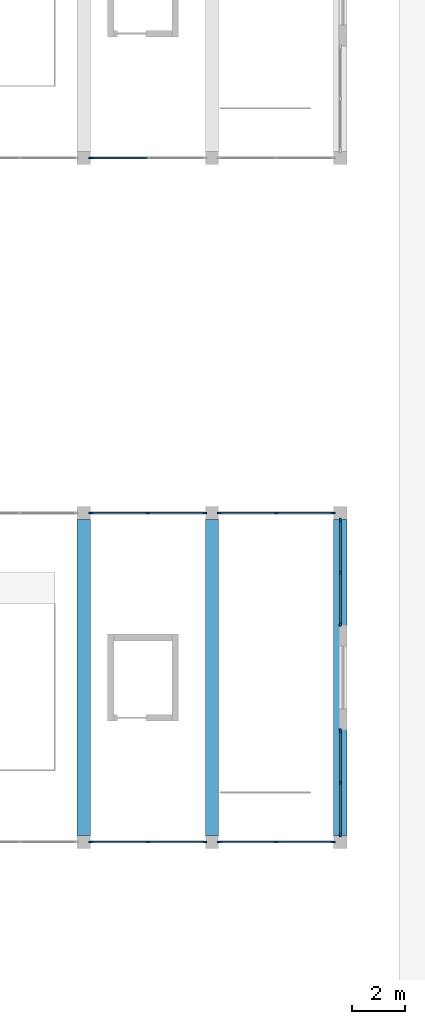
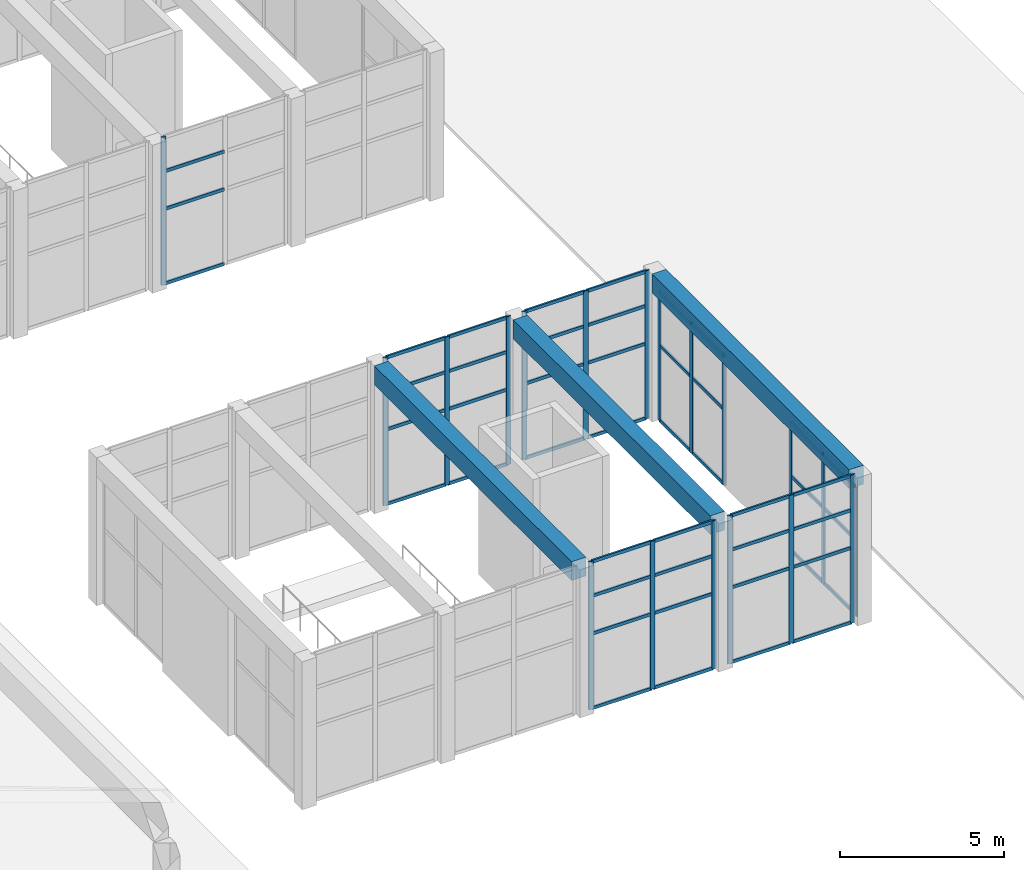
# One storey, part 11 of 175: 66 members, 3 beams, 7 elements without a shape of their own.
"""IFC4 building model written with IfcOpenShell, lengths in metres."""

from ifc_helpers import new_model, si_unit, direction, frame, origin, origin_2d, place, context, subcontext, project, spatial, rectangle, extrude, material, material_profile, profile_set, type_object, element, aggregate, save


model = new_model("IFC4")

# Units and contexts
model_context = context("Model", 3, precision=1e-05, world=origin(), true_north=direction((0.0, 1.0)))
body_context = subcontext(model_context, "Body", "Model", "MODEL_VIEW")
ifc_project = project(units=[si_unit("LENGTHUNIT", "METRE"), si_unit("AREAUNIT", "SQUARE_METRE"), si_unit("VOLUMEUNIT", "CUBIC_METRE"), si_unit("PLANEANGLEUNIT", "RADIAN"), si_unit("MASSUNIT", "GRAM", prefix="KILO")], contexts=[model_context])

# Site, building, storey
site_placement = place(None, origin())
site = spatial("IfcSite", under=ifc_project, at=site_placement, CompositionType="ELEMENT")
building_placement = place(site_placement, origin())
building = spatial("IfcBuilding", under=site, at=building_placement, Name="Ogive Plaza Stadium", CompositionType="ELEMENT")
storey_placement = place(building_placement, origin())
storey = spatial("IfcBuildingStorey", under=building, at=storey_placement, Name="L00", CompositionType="ELEMENT", Elevation=0.0)

# Curtain wall, members
ifc_material_1 = material(Name="Aluminium and laminated glass", Category="aluminium")
curtain_wall_type = type_object("IfcCurtainWallType", Name="Headhouse curtain wall", PredefinedType="NOTDEFINED", material=ifc_material_1)
curtain_wall_1_placement = place(storey_placement, origin())
curtain_wall_1 = element("IfcCurtainWall", 1, at=curtain_wall_1_placement, inside=storey, type_object=curtain_wall_type, Name="Headhouse 1 curtain wall", PredefinedType="NOTDEFINED")
ifc_material_2 = material(Name="Bronze-anodised aluminium", Category="aluminium")
ifc_material_profile_1 = material_profile(ifc_material_2, rectangle(XDim=0.06005859375, YDim=0.159912109375, at=origin_2d()), Name="Headhouse mullion 60x160")
ifc_profile_set_1 = profile_set([ifc_material_profile_1], Name="Bronze-anodised aluminium")
member_type_1 = type_object("IfcMemberType", Name="Headhouse mullion 60x160", PredefinedType="MULLION", material=ifc_profile_set_1)
member_1_placement = place(storey_placement, frame((108.280029296875, -19.25, 0.0), z_axis=(0.0, 0.0, 1.0), x_axis=(0.0, 1.0, 0.0)))
member_1 = element("IfcMember", 2, at=member_1_placement, type_object=member_type_1, Name="HCW1A mullion 1", PredefinedType="MULLION", context=body_context, shape_type="SweptSolid", body=[
    extrude(rectangle(XDim=0.06005859375, YDim=0.159912109375, at=origin_2d()), origin(), (0.0, 0.0, 1.0), 5.5),
])
member_2_placement = place(storey_placement, frame((110.4375, -19.25, 0.0), z_axis=(0.0, 0.0, 1.0), x_axis=(0.0, 1.0, 0.0)))
member_2 = element("IfcMember", 3, at=member_2_placement, type_object=member_type_1, Name="HCW1A mullion 2", PredefinedType="MULLION", context=body_context, shape_type="SweptSolid", body=[
    extrude(rectangle(XDim=0.06005859375, YDim=0.159912109375, at=origin_2d()), origin(), (0.0, 0.0, 1.0), 5.5),
])
member_3_placement = place(storey_placement, frame((112.594970703125, -19.25, 0.0), z_axis=(0.0, 0.0, 1.0), x_axis=(0.0, 1.0, 0.0)))
member_3 = element("IfcMember", 4, at=member_3_placement, type_object=member_type_1, Name="HCW1A mullion 3", PredefinedType="MULLION", context=body_context, shape_type="SweptSolid", body=[
    extrude(rectangle(XDim=0.06005859375, YDim=0.159912109375, at=origin_2d()), origin(), (0.0, 0.0, 1.0), 5.5),
])

curtain_wall_2_placement = place(storey_placement, origin())
curtain_wall_2 = element("IfcCurtainWall", 5, at=curtain_wall_2_placement, inside=storey, type_object=curtain_wall_type, Name="Headhouse 1 curtain wall", PredefinedType="NOTDEFINED")
member_4_placement = place(storey_placement, frame((113.155029296875, -19.25, 0.0), z_axis=(0.0, 0.0, 1.0), x_axis=(0.0, 1.0, 0.0)))
member_4 = element("IfcMember", 6, at=member_4_placement, type_object=member_type_1, Name="HCW1A mullion 1", PredefinedType="MULLION", context=body_context, shape_type="SweptSolid", body=[
    extrude(rectangle(XDim=0.06005859375, YDim=0.159912109375, at=origin_2d()), origin(), (0.0, 0.0, 1.0), 5.5),
])
member_5_placement = place(storey_placement, frame((115.3125, -19.25, 0.0), z_axis=(0.0, 0.0, 1.0), x_axis=(0.0, 1.0, 0.0)))
member_5 = element("IfcMember", 7, at=member_5_placement, type_object=member_type_1, Name="HCW1A mullion 2", PredefinedType="MULLION", context=body_context, shape_type="SweptSolid", body=[
    extrude(rectangle(XDim=0.06005859375, YDim=0.159912109375, at=origin_2d()), origin(), (0.0, 0.0, 1.0), 5.5),
])
member_6_placement = place(storey_placement, frame((117.469970703125, -19.25, 0.0), z_axis=(0.0, 0.0, 1.0), x_axis=(0.0, 1.0, 0.0)))
member_6 = element("IfcMember", 8, at=member_6_placement, type_object=member_type_1, Name="HCW1A mullion 3", PredefinedType="MULLION", context=body_context, shape_type="SweptSolid", body=[
    extrude(rectangle(XDim=0.06005859375, YDim=0.159912109375, at=origin_2d()), origin(), (0.0, 0.0, 1.0), 5.5),
])

curtain_wall_3_placement = place(storey_placement, origin())
curtain_wall_3 = element("IfcCurtainWall", 9, at=curtain_wall_3_placement, inside=storey, type_object=curtain_wall_type, Name="Headhouse 1 curtain wall", PredefinedType="NOTDEFINED")
member_7_placement = place(storey_placement, frame((108.280029296875, -6.75, 0.0), z_axis=(0.0, 0.0, 1.0), x_axis=(0.0, 1.0, 0.0)))
member_7 = element("IfcMember", 10, at=member_7_placement, type_object=member_type_1, Name="HCW1A mullion 1", PredefinedType="MULLION", context=body_context, shape_type="SweptSolid", body=[
    extrude(rectangle(XDim=0.06005859375, YDim=0.159912109375, at=origin_2d()), origin(), (0.0, 0.0, 1.0), 5.5),
])
member_8_placement = place(storey_placement, frame((110.4375, -6.75, 0.0), z_axis=(0.0, 0.0, 1.0), x_axis=(0.0, 1.0, 0.0)))
member_8 = element("IfcMember", 11, at=member_8_placement, type_object=member_type_1, Name="HCW1A mullion 2", PredefinedType="MULLION", context=body_context, shape_type="SweptSolid", body=[
    extrude(rectangle(XDim=0.06005859375, YDim=0.159912109375, at=origin_2d()), origin(), (0.0, 0.0, 1.0), 5.5),
])
member_9_placement = place(storey_placement, frame((112.594970703125, -6.75, 0.0), z_axis=(0.0, 0.0, 1.0), x_axis=(0.0, 1.0, 0.0)))
member_9 = element("IfcMember", 12, at=member_9_placement, type_object=member_type_1, Name="HCW1A mullion 3", PredefinedType="MULLION", context=body_context, shape_type="SweptSolid", body=[
    extrude(rectangle(XDim=0.06005859375, YDim=0.159912109375, at=origin_2d()), origin(), (0.0, 0.0, 1.0), 5.5),
])

curtain_wall_4_placement = place(storey_placement, origin())
curtain_wall_4 = element("IfcCurtainWall", 13, at=curtain_wall_4_placement, inside=storey, type_object=curtain_wall_type, Name="Headhouse 1 curtain wall", PredefinedType="NOTDEFINED")
member_10_placement = place(storey_placement, frame((113.155029296875, -6.75, 0.0), z_axis=(0.0, 0.0, 1.0), x_axis=(0.0, 1.0, 0.0)))
member_10 = element("IfcMember", 14, at=member_10_placement, type_object=member_type_1, Name="HCW1A mullion 1", PredefinedType="MULLION", context=body_context, shape_type="SweptSolid", body=[
    extrude(rectangle(XDim=0.06005859375, YDim=0.159912109375, at=origin_2d()), origin(), (0.0, 0.0, 1.0), 5.5),
])
member_11_placement = place(storey_placement, frame((115.3125, -6.75, 0.0), z_axis=(0.0, 0.0, 1.0), x_axis=(0.0, 1.0, 0.0)))
member_11 = element("IfcMember", 15, at=member_11_placement, type_object=member_type_1, Name="HCW1A mullion 2", PredefinedType="MULLION", context=body_context, shape_type="SweptSolid", body=[
    extrude(rectangle(XDim=0.06005859375, YDim=0.159912109375, at=origin_2d()), origin(), (0.0, 0.0, 1.0), 5.5),
])
member_12_placement = place(storey_placement, frame((117.469970703125, -6.75, 0.0), z_axis=(0.0, 0.0, 1.0), x_axis=(0.0, 1.0, 0.0)))
member_12 = element("IfcMember", 16, at=member_12_placement, type_object=member_type_1, Name="HCW1A mullion 3", PredefinedType="MULLION", context=body_context, shape_type="SweptSolid", body=[
    extrude(rectangle(XDim=0.06005859375, YDim=0.159912109375, at=origin_2d()), origin(), (0.0, 0.0, 1.0), 5.5),
])

curtain_wall_5_placement = place(storey_placement, origin())
curtain_wall_5 = element("IfcCurtainWall", 17, at=curtain_wall_5_placement, inside=storey, type_object=curtain_wall_type, Name="Headhouse 1 curtain wall", PredefinedType="NOTDEFINED")
member_13_placement = place(storey_placement, frame((117.75, -18.969970703125, 0.0), z_axis=(0.0, 0.0, 1.0), x_axis=(-1.0, 0.0, 0.0)))
member_13 = element("IfcMember", 18, at=member_13_placement, type_object=member_type_1, Name="HCW1B mullion 1", PredefinedType="MULLION", context=body_context, shape_type="SweptSolid", body=[
    extrude(rectangle(XDim=0.06005859375, YDim=0.159912109375, at=origin_2d()), origin(), (0.0, 0.0, 1.0), 4.800048828125),
])
member_14_placement = place(storey_placement, frame((117.75, -17.0, 0.0), z_axis=(0.0, 0.0, 1.0), x_axis=(-1.0, 0.0, 0.0)))
member_14 = element("IfcMember", 19, at=member_14_placement, type_object=member_type_1, Name="HCW1B mullion 2", PredefinedType="MULLION", context=body_context, shape_type="SweptSolid", body=[
    extrude(rectangle(XDim=0.06005859375, YDim=0.159912109375, at=origin_2d()), origin(), (0.0, 0.0, 1.0), 4.800048828125),
])
member_15_placement = place(storey_placement, frame((117.75, -15.030029296875, 0.0), z_axis=(0.0, 0.0, 1.0), x_axis=(-1.0, 0.0, 0.0)))
member_15 = element("IfcMember", 20, at=member_15_placement, type_object=member_type_1, Name="HCW1B mullion 3", PredefinedType="MULLION", context=body_context, shape_type="SweptSolid", body=[
    extrude(rectangle(XDim=0.06005859375, YDim=0.159912109375, at=origin_2d()), origin(), (0.0, 0.0, 1.0), 4.800048828125),
])

curtain_wall_6_placement = place(storey_placement, origin())
curtain_wall_6 = element("IfcCurtainWall", 21, at=curtain_wall_6_placement, inside=storey, type_object=curtain_wall_type, Name="Headhouse 1 curtain wall", PredefinedType="NOTDEFINED")
member_16_placement = place(storey_placement, frame((117.75, -10.969970703125, 0.0), z_axis=(0.0, 0.0, 1.0), x_axis=(-1.0, 0.0, 0.0)))
member_16 = element("IfcMember", 22, at=member_16_placement, type_object=member_type_1, Name="HCW1B mullion 1", PredefinedType="MULLION", context=body_context, shape_type="SweptSolid", body=[
    extrude(rectangle(XDim=0.06005859375, YDim=0.159912109375, at=origin_2d()), origin(), (0.0, 0.0, 1.0), 4.800048828125),
])
member_17_placement = place(storey_placement, frame((117.75, -9.0, 0.0), z_axis=(0.0, 0.0, 1.0), x_axis=(-1.0, 0.0, 0.0)))
member_17 = element("IfcMember", 23, at=member_17_placement, type_object=member_type_1, Name="HCW1B mullion 2", PredefinedType="MULLION", context=body_context, shape_type="SweptSolid", body=[
    extrude(rectangle(XDim=0.06005859375, YDim=0.159912109375, at=origin_2d()), origin(), (0.0, 0.0, 1.0), 4.800048828125),
])
member_18_placement = place(storey_placement, frame((117.75, -7.030029296875, 0.0), z_axis=(0.0, 0.0, 1.0), x_axis=(-1.0, 0.0, 0.0)))
member_18 = element("IfcMember", 24, at=member_18_placement, type_object=member_type_1, Name="HCW1B mullion 3", PredefinedType="MULLION", context=body_context, shape_type="SweptSolid", body=[
    extrude(rectangle(XDim=0.06005859375, YDim=0.159912109375, at=origin_2d()), origin(), (0.0, 0.0, 1.0), 4.800048828125),
])

# Curtain wall, member
curtain_wall_7_placement = place(storey_placement, origin())
curtain_wall_7 = element("IfcCurtainWall", 25, at=curtain_wall_7_placement, inside=storey, type_object=curtain_wall_type, Name="Headhouse 2 curtain wall", PredefinedType="NOTDEFINED")
member_19_placement = place(storey_placement, frame((108.280029296875, 6.75, 0.0), z_axis=(0.0, 0.0, 1.0), x_axis=(0.0, 1.0, 0.0)))
member_19 = element("IfcMember", 26, at=member_19_placement, type_object=member_type_1, Name="HCW2A mullion 1", PredefinedType="MULLION", context=body_context, shape_type="SweptSolid", body=[
    extrude(rectangle(XDim=0.06005859375, YDim=0.159912109375, at=origin_2d()), origin(), (0.0, 0.0, 1.0), 5.5),
])

# Beams
ifc_material_3 = material(Name="Concrete C40/50", Category="concrete")
ifc_material_profile_2 = material_profile(ifc_material_3, rectangle(XDim=0.5, YDim=0.699951171875, at=origin_2d()), Name="Headhouse roof beam RC 500x700")
ifc_profile_set_2 = profile_set([ifc_material_profile_2], Name="Concrete C40/50")
beam_type = type_object("IfcBeamType", Name="Headhouse roof beam RC 500x700", PredefinedType="BEAM", material=ifc_profile_set_2)
for number, where, z_axis, x_axis, name in (
    (27, (108.0, -19.0, 5.14990234375), (0.0, 1.0, 0.0), (-1.0, 0.0, 0.0), "Headhouse 1 roof beam 3"),
    (28, (112.875, -19.0, 5.14990234375), (0.0, 1.0, 0.0), (-1.0, 0.0, 0.0), "Headhouse 1 roof beam 4"),
    (29, (117.75, -19.0, 5.14990234375), (0.0, 1.0, 0.0), (-1.0, 0.0, 0.0), "Headhouse 1 roof beam 5"),
):
    element("IfcBeam", number, at=place(storey_placement, frame(where, z_axis=z_axis, x_axis=x_axis)), inside=storey, type_object=beam_type, Name=name, PredefinedType="BEAM", context=body_context, shape_type="SweptSolid", body=[
        extrude(rectangle(XDim=0.5, YDim=0.699951171875, at=origin_2d()), origin(), (0.0, 0.0, 1.0), 12.0),
    ])

# Member
ifc_material_4 = material(Name="Bronze-anodised aluminium", Category="aluminium")
ifc_material_profile_3 = material_profile(ifc_material_4, rectangle(XDim=0.06005859375, YDim=0.1201171875, at=origin_2d()), Name="Headhouse transom 60x120")
ifc_profile_set_3 = profile_set([ifc_material_profile_3], Name="Bronze-anodised aluminium")
member_type_2 = type_object("IfcMemberType", Name="Headhouse transom 60x120", PredefinedType="USERDEFINED", material=ifc_profile_set_3)
member_20_placement = place(storey_placement, frame((108.31005859375, -19.25, 0.030029296875), z_axis=(1.0, 0.0, 0.0), x_axis=(0.0, 1.0, 0.0)))
member_20 = element("IfcMember", 30, at=member_20_placement, type_object=member_type_2, Name="HCW1A transom 1.1", ObjectType="TRANSOM", PredefinedType="USERDEFINED", context=body_context, shape_type="SweptSolid", body=[
    extrude(rectangle(XDim=0.06005859375, YDim=0.1201171875, at=origin_2d()), origin(), (0.0, 0.0, 1.0), 2.097412109375),
])

member_21_placement = place(storey_placement, frame((108.31005859375, -19.25, 2.800048828125), z_axis=(1.0, 0.0, 0.0), x_axis=(0.0, 1.0, 0.0)))
member_21 = element("IfcMember", 31, at=member_21_placement, type_object=member_type_2, Name="HCW1A transom 1.2", ObjectType="TRANSOM", PredefinedType="USERDEFINED", context=body_context, shape_type="SweptSolid", body=[
    extrude(rectangle(XDim=0.06005859375, YDim=0.1201171875, at=origin_2d()), origin(), (0.0, 0.0, 1.0), 2.097412109375),
])

member_22_placement = place(storey_placement, frame((108.31005859375, -19.25, 4.199951171875), z_axis=(1.0, 0.0, 0.0), x_axis=(0.0, 1.0, 0.0)))
member_22 = element("IfcMember", 32, at=member_22_placement, type_object=member_type_2, Name="HCW1A transom 1.3", ObjectType="TRANSOM", PredefinedType="USERDEFINED", context=body_context, shape_type="SweptSolid", body=[
    extrude(rectangle(XDim=0.06005859375, YDim=0.1201171875, at=origin_2d()), origin(), (0.0, 0.0, 1.0), 2.097412109375),
])

member_23_placement = place(storey_placement, frame((108.31005859375, -19.25, 5.469970703125), z_axis=(1.0, 0.0, 0.0), x_axis=(0.0, 1.0, 0.0)))
member_23 = element("IfcMember", 33, at=member_23_placement, type_object=member_type_2, Name="HCW1A transom 1.4", ObjectType="TRANSOM", PredefinedType="USERDEFINED", context=body_context, shape_type="SweptSolid", body=[
    extrude(rectangle(XDim=0.06005859375, YDim=0.1201171875, at=origin_2d()), origin(), (0.0, 0.0, 1.0), 2.097412109375),
])

member_24_placement = place(storey_placement, frame((110.467529296875, -19.25, 0.030029296875), z_axis=(1.0, 0.0, 0.0), x_axis=(0.0, 1.0, 0.0)))
member_24 = element("IfcMember", 34, at=member_24_placement, type_object=member_type_2, Name="HCW1A transom 2.1", ObjectType="TRANSOM", PredefinedType="USERDEFINED", context=body_context, shape_type="SweptSolid", body=[
    extrude(rectangle(XDim=0.06005859375, YDim=0.1201171875, at=origin_2d()), origin(), (0.0, 0.0, 1.0), 2.097412109375),
])

member_25_placement = place(storey_placement, frame((110.467529296875, -19.25, 2.800048828125), z_axis=(1.0, 0.0, 0.0), x_axis=(0.0, 1.0, 0.0)))
member_25 = element("IfcMember", 35, at=member_25_placement, type_object=member_type_2, Name="HCW1A transom 2.2", ObjectType="TRANSOM", PredefinedType="USERDEFINED", context=body_context, shape_type="SweptSolid", body=[
    extrude(rectangle(XDim=0.06005859375, YDim=0.1201171875, at=origin_2d()), origin(), (0.0, 0.0, 1.0), 2.097412109375),
])

member_26_placement = place(storey_placement, frame((110.467529296875, -19.25, 4.199951171875), z_axis=(1.0, 0.0, 0.0), x_axis=(0.0, 1.0, 0.0)))
member_26 = element("IfcMember", 36, at=member_26_placement, type_object=member_type_2, Name="HCW1A transom 2.3", ObjectType="TRANSOM", PredefinedType="USERDEFINED", context=body_context, shape_type="SweptSolid", body=[
    extrude(rectangle(XDim=0.06005859375, YDim=0.1201171875, at=origin_2d()), origin(), (0.0, 0.0, 1.0), 2.097412109375),
])

member_27_placement = place(storey_placement, frame((110.467529296875, -19.25, 5.469970703125), z_axis=(1.0, 0.0, 0.0), x_axis=(0.0, 1.0, 0.0)))
member_27 = element("IfcMember", 37, at=member_27_placement, type_object=member_type_2, Name="HCW1A transom 2.4", ObjectType="TRANSOM", PredefinedType="USERDEFINED", context=body_context, shape_type="SweptSolid", body=[
    extrude(rectangle(XDim=0.06005859375, YDim=0.1201171875, at=origin_2d()), origin(), (0.0, 0.0, 1.0), 2.097412109375),
])

aggregate(curtain_wall_1, [member_1, member_2, member_3, member_20, member_21, member_22, member_23, member_24, member_25, member_26, member_27])

member_28_placement = place(storey_placement, frame((113.18505859375, -19.25, 0.030029296875), z_axis=(1.0, 0.0, 0.0), x_axis=(0.0, 1.0, 0.0)))
member_28 = element("IfcMember", 38, at=member_28_placement, type_object=member_type_2, Name="HCW1A transom 1.1", ObjectType="TRANSOM", PredefinedType="USERDEFINED", context=body_context, shape_type="SweptSolid", body=[
    extrude(rectangle(XDim=0.06005859375, YDim=0.1201171875, at=origin_2d()), origin(), (0.0, 0.0, 1.0), 2.097412109375),
])

member_29_placement = place(storey_placement, frame((113.18505859375, -19.25, 2.800048828125), z_axis=(1.0, 0.0, 0.0), x_axis=(0.0, 1.0, 0.0)))
member_29 = element("IfcMember", 39, at=member_29_placement, type_object=member_type_2, Name="HCW1A transom 1.2", ObjectType="TRANSOM", PredefinedType="USERDEFINED", context=body_context, shape_type="SweptSolid", body=[
    extrude(rectangle(XDim=0.06005859375, YDim=0.1201171875, at=origin_2d()), origin(), (0.0, 0.0, 1.0), 2.097412109375),
])

member_30_placement = place(storey_placement, frame((113.18505859375, -19.25, 4.199951171875), z_axis=(1.0, 0.0, 0.0), x_axis=(0.0, 1.0, 0.0)))
member_30 = element("IfcMember", 40, at=member_30_placement, type_object=member_type_2, Name="HCW1A transom 1.3", ObjectType="TRANSOM", PredefinedType="USERDEFINED", context=body_context, shape_type="SweptSolid", body=[
    extrude(rectangle(XDim=0.06005859375, YDim=0.1201171875, at=origin_2d()), origin(), (0.0, 0.0, 1.0), 2.097412109375),
])

member_31_placement = place(storey_placement, frame((113.18505859375, -19.25, 5.469970703125), z_axis=(1.0, 0.0, 0.0), x_axis=(0.0, 1.0, 0.0)))
member_31 = element("IfcMember", 41, at=member_31_placement, type_object=member_type_2, Name="HCW1A transom 1.4", ObjectType="TRANSOM", PredefinedType="USERDEFINED", context=body_context, shape_type="SweptSolid", body=[
    extrude(rectangle(XDim=0.06005859375, YDim=0.1201171875, at=origin_2d()), origin(), (0.0, 0.0, 1.0), 2.097412109375),
])

member_32_placement = place(storey_placement, frame((115.342529296875, -19.25, 0.030029296875), z_axis=(1.0, 0.0, 0.0), x_axis=(0.0, 1.0, 0.0)))
member_32 = element("IfcMember", 42, at=member_32_placement, type_object=member_type_2, Name="HCW1A transom 2.1", ObjectType="TRANSOM", PredefinedType="USERDEFINED", context=body_context, shape_type="SweptSolid", body=[
    extrude(rectangle(XDim=0.06005859375, YDim=0.1201171875, at=origin_2d()), origin(), (0.0, 0.0, 1.0), 2.097412109375),
])

member_33_placement = place(storey_placement, frame((115.342529296875, -19.25, 2.800048828125), z_axis=(1.0, 0.0, 0.0), x_axis=(0.0, 1.0, 0.0)))
member_33 = element("IfcMember", 43, at=member_33_placement, type_object=member_type_2, Name="HCW1A transom 2.2", ObjectType="TRANSOM", PredefinedType="USERDEFINED", context=body_context, shape_type="SweptSolid", body=[
    extrude(rectangle(XDim=0.06005859375, YDim=0.1201171875, at=origin_2d()), origin(), (0.0, 0.0, 1.0), 2.097412109375),
])

member_34_placement = place(storey_placement, frame((115.342529296875, -19.25, 4.199951171875), z_axis=(1.0, 0.0, 0.0), x_axis=(0.0, 1.0, 0.0)))
member_34 = element("IfcMember", 44, at=member_34_placement, type_object=member_type_2, Name="HCW1A transom 2.3", ObjectType="TRANSOM", PredefinedType="USERDEFINED", context=body_context, shape_type="SweptSolid", body=[
    extrude(rectangle(XDim=0.06005859375, YDim=0.1201171875, at=origin_2d()), origin(), (0.0, 0.0, 1.0), 2.097412109375),
])

member_35_placement = place(storey_placement, frame((115.342529296875, -19.25, 5.469970703125), z_axis=(1.0, 0.0, 0.0), x_axis=(0.0, 1.0, 0.0)))
member_35 = element("IfcMember", 45, at=member_35_placement, type_object=member_type_2, Name="HCW1A transom 2.4", ObjectType="TRANSOM", PredefinedType="USERDEFINED", context=body_context, shape_type="SweptSolid", body=[
    extrude(rectangle(XDim=0.06005859375, YDim=0.1201171875, at=origin_2d()), origin(), (0.0, 0.0, 1.0), 2.097412109375),
])

aggregate(curtain_wall_2, [member_4, member_5, member_6, member_28, member_29, member_30, member_31, member_32, member_33, member_34, member_35])

member_36_placement = place(storey_placement, frame((108.31005859375, -6.75, 0.030029296875), z_axis=(1.0, 0.0, 0.0), x_axis=(0.0, 1.0, 0.0)))
member_36 = element("IfcMember", 46, at=member_36_placement, type_object=member_type_2, Name="HCW1A transom 1.1", ObjectType="TRANSOM", PredefinedType="USERDEFINED", context=body_context, shape_type="SweptSolid", body=[
    extrude(rectangle(XDim=0.06005859375, YDim=0.1201171875, at=origin_2d()), origin(), (0.0, 0.0, 1.0), 2.097412109375),
])

member_37_placement = place(storey_placement, frame((108.31005859375, -6.75, 2.800048828125), z_axis=(1.0, 0.0, 0.0), x_axis=(0.0, 1.0, 0.0)))
member_37 = element("IfcMember", 47, at=member_37_placement, type_object=member_type_2, Name="HCW1A transom 1.2", ObjectType="TRANSOM", PredefinedType="USERDEFINED", context=body_context, shape_type="SweptSolid", body=[
    extrude(rectangle(XDim=0.06005859375, YDim=0.1201171875, at=origin_2d()), origin(), (0.0, 0.0, 1.0), 2.097412109375),
])

member_38_placement = place(storey_placement, frame((108.31005859375, -6.75, 4.199951171875), z_axis=(1.0, 0.0, 0.0), x_axis=(0.0, 1.0, 0.0)))
member_38 = element("IfcMember", 48, at=member_38_placement, type_object=member_type_2, Name="HCW1A transom 1.3", ObjectType="TRANSOM", PredefinedType="USERDEFINED", context=body_context, shape_type="SweptSolid", body=[
    extrude(rectangle(XDim=0.06005859375, YDim=0.1201171875, at=origin_2d()), origin(), (0.0, 0.0, 1.0), 2.097412109375),
])

member_39_placement = place(storey_placement, frame((108.31005859375, -6.75, 5.469970703125), z_axis=(1.0, 0.0, 0.0), x_axis=(0.0, 1.0, 0.0)))
member_39 = element("IfcMember", 49, at=member_39_placement, type_object=member_type_2, Name="HCW1A transom 1.4", ObjectType="TRANSOM", PredefinedType="USERDEFINED", context=body_context, shape_type="SweptSolid", body=[
    extrude(rectangle(XDim=0.06005859375, YDim=0.1201171875, at=origin_2d()), origin(), (0.0, 0.0, 1.0), 2.097412109375),
])

member_40_placement = place(storey_placement, frame((110.467529296875, -6.75, 0.030029296875), z_axis=(1.0, 0.0, 0.0), x_axis=(0.0, 1.0, 0.0)))
member_40 = element("IfcMember", 50, at=member_40_placement, type_object=member_type_2, Name="HCW1A transom 2.1", ObjectType="TRANSOM", PredefinedType="USERDEFINED", context=body_context, shape_type="SweptSolid", body=[
    extrude(rectangle(XDim=0.06005859375, YDim=0.1201171875, at=origin_2d()), origin(), (0.0, 0.0, 1.0), 2.097412109375),
])

member_41_placement = place(storey_placement, frame((110.467529296875, -6.75, 2.800048828125), z_axis=(1.0, 0.0, 0.0), x_axis=(0.0, 1.0, 0.0)))
member_41 = element("IfcMember", 51, at=member_41_placement, type_object=member_type_2, Name="HCW1A transom 2.2", ObjectType="TRANSOM", PredefinedType="USERDEFINED", context=body_context, shape_type="SweptSolid", body=[
    extrude(rectangle(XDim=0.06005859375, YDim=0.1201171875, at=origin_2d()), origin(), (0.0, 0.0, 1.0), 2.097412109375),
])

member_42_placement = place(storey_placement, frame((110.467529296875, -6.75, 4.199951171875), z_axis=(1.0, 0.0, 0.0), x_axis=(0.0, 1.0, 0.0)))
member_42 = element("IfcMember", 52, at=member_42_placement, type_object=member_type_2, Name="HCW1A transom 2.3", ObjectType="TRANSOM", PredefinedType="USERDEFINED", context=body_context, shape_type="SweptSolid", body=[
    extrude(rectangle(XDim=0.06005859375, YDim=0.1201171875, at=origin_2d()), origin(), (0.0, 0.0, 1.0), 2.097412109375),
])

member_43_placement = place(storey_placement, frame((110.467529296875, -6.75, 5.469970703125), z_axis=(1.0, 0.0, 0.0), x_axis=(0.0, 1.0, 0.0)))
member_43 = element("IfcMember", 53, at=member_43_placement, type_object=member_type_2, Name="HCW1A transom 2.4", ObjectType="TRANSOM", PredefinedType="USERDEFINED", context=body_context, shape_type="SweptSolid", body=[
    extrude(rectangle(XDim=0.06005859375, YDim=0.1201171875, at=origin_2d()), origin(), (0.0, 0.0, 1.0), 2.097412109375),
])

aggregate(curtain_wall_3, [member_7, member_8, member_9, member_36, member_37, member_38, member_39, member_40, member_41, member_42, member_43])

member_44_placement = place(storey_placement, frame((113.18505859375, -6.75, 0.030029296875), z_axis=(1.0, 0.0, 0.0), x_axis=(0.0, 1.0, 0.0)))
member_44 = element("IfcMember", 54, at=member_44_placement, type_object=member_type_2, Name="HCW1A transom 1.1", ObjectType="TRANSOM", PredefinedType="USERDEFINED", context=body_context, shape_type="SweptSolid", body=[
    extrude(rectangle(XDim=0.06005859375, YDim=0.1201171875, at=origin_2d()), origin(), (0.0, 0.0, 1.0), 2.097412109375),
])

member_45_placement = place(storey_placement, frame((113.18505859375, -6.75, 2.800048828125), z_axis=(1.0, 0.0, 0.0), x_axis=(0.0, 1.0, 0.0)))
member_45 = element("IfcMember", 55, at=member_45_placement, type_object=member_type_2, Name="HCW1A transom 1.2", ObjectType="TRANSOM", PredefinedType="USERDEFINED", context=body_context, shape_type="SweptSolid", body=[
    extrude(rectangle(XDim=0.06005859375, YDim=0.1201171875, at=origin_2d()), origin(), (0.0, 0.0, 1.0), 2.097412109375),
])

member_46_placement = place(storey_placement, frame((113.18505859375, -6.75, 4.199951171875), z_axis=(1.0, 0.0, 0.0), x_axis=(0.0, 1.0, 0.0)))
member_46 = element("IfcMember", 56, at=member_46_placement, type_object=member_type_2, Name="HCW1A transom 1.3", ObjectType="TRANSOM", PredefinedType="USERDEFINED", context=body_context, shape_type="SweptSolid", body=[
    extrude(rectangle(XDim=0.06005859375, YDim=0.1201171875, at=origin_2d()), origin(), (0.0, 0.0, 1.0), 2.097412109375),
])

member_47_placement = place(storey_placement, frame((113.18505859375, -6.75, 5.469970703125), z_axis=(1.0, 0.0, 0.0), x_axis=(0.0, 1.0, 0.0)))
member_47 = element("IfcMember", 57, at=member_47_placement, type_object=member_type_2, Name="HCW1A transom 1.4", ObjectType="TRANSOM", PredefinedType="USERDEFINED", context=body_context, shape_type="SweptSolid", body=[
    extrude(rectangle(XDim=0.06005859375, YDim=0.1201171875, at=origin_2d()), origin(), (0.0, 0.0, 1.0), 2.097412109375),
])

member_48_placement = place(storey_placement, frame((115.342529296875, -6.75, 0.030029296875), z_axis=(1.0, 0.0, 0.0), x_axis=(0.0, 1.0, 0.0)))
member_48 = element("IfcMember", 58, at=member_48_placement, type_object=member_type_2, Name="HCW1A transom 2.1", ObjectType="TRANSOM", PredefinedType="USERDEFINED", context=body_context, shape_type="SweptSolid", body=[
    extrude(rectangle(XDim=0.06005859375, YDim=0.1201171875, at=origin_2d()), origin(), (0.0, 0.0, 1.0), 2.097412109375),
])

member_49_placement = place(storey_placement, frame((115.342529296875, -6.75, 2.800048828125), z_axis=(1.0, 0.0, 0.0), x_axis=(0.0, 1.0, 0.0)))
member_49 = element("IfcMember", 59, at=member_49_placement, type_object=member_type_2, Name="HCW1A transom 2.2", ObjectType="TRANSOM", PredefinedType="USERDEFINED", context=body_context, shape_type="SweptSolid", body=[
    extrude(rectangle(XDim=0.06005859375, YDim=0.1201171875, at=origin_2d()), origin(), (0.0, 0.0, 1.0), 2.097412109375),
])

member_50_placement = place(storey_placement, frame((115.342529296875, -6.75, 4.199951171875), z_axis=(1.0, 0.0, 0.0), x_axis=(0.0, 1.0, 0.0)))
member_50 = element("IfcMember", 60, at=member_50_placement, type_object=member_type_2, Name="HCW1A transom 2.3", ObjectType="TRANSOM", PredefinedType="USERDEFINED", context=body_context, shape_type="SweptSolid", body=[
    extrude(rectangle(XDim=0.06005859375, YDim=0.1201171875, at=origin_2d()), origin(), (0.0, 0.0, 1.0), 2.097412109375),
])

member_51_placement = place(storey_placement, frame((115.342529296875, -6.75, 5.469970703125), z_axis=(1.0, 0.0, 0.0), x_axis=(0.0, 1.0, 0.0)))
member_51 = element("IfcMember", 61, at=member_51_placement, type_object=member_type_2, Name="HCW1A transom 2.4", ObjectType="TRANSOM", PredefinedType="USERDEFINED", context=body_context, shape_type="SweptSolid", body=[
    extrude(rectangle(XDim=0.06005859375, YDim=0.1201171875, at=origin_2d()), origin(), (0.0, 0.0, 1.0), 2.097412109375),
])

aggregate(curtain_wall_4, [member_10, member_11, member_12, member_44, member_45, member_46, member_47, member_48, member_49, member_50, member_51])

member_52_placement = place(storey_placement, frame((117.75, -18.93994140625, 0.030029296875), z_axis=(0.0, 1.0, 0.0), x_axis=(-1.0, 0.0, 0.0)))
member_52 = element("IfcMember", 62, at=member_52_placement, type_object=member_type_2, Name="HCW1B transom 1.1", ObjectType="TRANSOM", PredefinedType="USERDEFINED", context=body_context, shape_type="SweptSolid", body=[
    extrude(rectangle(XDim=0.06005859375, YDim=0.1201171875, at=origin_2d()), origin(), (0.0, 0.0, 1.0), 1.909912109375),
])

member_53_placement = place(storey_placement, frame((117.75, -18.93994140625, 2.800048828125), z_axis=(0.0, 1.0, 0.0), x_axis=(-1.0, 0.0, 0.0)))
member_53 = element("IfcMember", 63, at=member_53_placement, type_object=member_type_2, Name="HCW1B transom 1.2", ObjectType="TRANSOM", PredefinedType="USERDEFINED", context=body_context, shape_type="SweptSolid", body=[
    extrude(rectangle(XDim=0.06005859375, YDim=0.1201171875, at=origin_2d()), origin(), (0.0, 0.0, 1.0), 1.909912109375),
])

member_54_placement = place(storey_placement, frame((117.75, -18.93994140625, 4.77001953125), z_axis=(0.0, 1.0, 0.0), x_axis=(-1.0, 0.0, 0.0)))
member_54 = element("IfcMember", 64, at=member_54_placement, type_object=member_type_2, Name="HCW1B transom 1.3", ObjectType="TRANSOM", PredefinedType="USERDEFINED", context=body_context, shape_type="SweptSolid", body=[
    extrude(rectangle(XDim=0.06005859375, YDim=0.1201171875, at=origin_2d()), origin(), (0.0, 0.0, 1.0), 1.909912109375),
])

member_55_placement = place(storey_placement, frame((117.75, -16.969970703125, 0.030029296875), z_axis=(0.0, 1.0, 0.0), x_axis=(-1.0, 0.0, 0.0)))
member_55 = element("IfcMember", 65, at=member_55_placement, type_object=member_type_2, Name="HCW1B transom 2.1", ObjectType="TRANSOM", PredefinedType="USERDEFINED", context=body_context, shape_type="SweptSolid", body=[
    extrude(rectangle(XDim=0.06005859375, YDim=0.1201171875, at=origin_2d()), origin(), (0.0, 0.0, 1.0), 1.909912109375),
])

member_56_placement = place(storey_placement, frame((117.75, -16.969970703125, 2.800048828125), z_axis=(0.0, 1.0, 0.0), x_axis=(-1.0, 0.0, 0.0)))
member_56 = element("IfcMember", 66, at=member_56_placement, type_object=member_type_2, Name="HCW1B transom 2.2", ObjectType="TRANSOM", PredefinedType="USERDEFINED", context=body_context, shape_type="SweptSolid", body=[
    extrude(rectangle(XDim=0.06005859375, YDim=0.1201171875, at=origin_2d()), origin(), (0.0, 0.0, 1.0), 1.909912109375),
])

member_57_placement = place(storey_placement, frame((117.75, -16.969970703125, 4.77001953125), z_axis=(0.0, 1.0, 0.0), x_axis=(-1.0, 0.0, 0.0)))
member_57 = element("IfcMember", 67, at=member_57_placement, type_object=member_type_2, Name="HCW1B transom 2.3", ObjectType="TRANSOM", PredefinedType="USERDEFINED", context=body_context, shape_type="SweptSolid", body=[
    extrude(rectangle(XDim=0.06005859375, YDim=0.1201171875, at=origin_2d()), origin(), (0.0, 0.0, 1.0), 1.909912109375),
])

aggregate(curtain_wall_5, [member_13, member_14, member_15, member_52, member_53, member_54, member_55, member_56, member_57])

member_58_placement = place(storey_placement, frame((117.75, -10.93994140625, 0.030029296875), z_axis=(0.0, 1.0, 0.0), x_axis=(-1.0, 0.0, 0.0)))
member_58 = element("IfcMember", 68, at=member_58_placement, type_object=member_type_2, Name="HCW1B transom 1.1", ObjectType="TRANSOM", PredefinedType="USERDEFINED", context=body_context, shape_type="SweptSolid", body=[
    extrude(rectangle(XDim=0.06005859375, YDim=0.1201171875, at=origin_2d()), origin(), (0.0, 0.0, 1.0), 1.909912109375),
])

member_59_placement = place(storey_placement, frame((117.75, -10.93994140625, 2.800048828125), z_axis=(0.0, 1.0, 0.0), x_axis=(-1.0, 0.0, 0.0)))
member_59 = element("IfcMember", 69, at=member_59_placement, type_object=member_type_2, Name="HCW1B transom 1.2", ObjectType="TRANSOM", PredefinedType="USERDEFINED", context=body_context, shape_type="SweptSolid", body=[
    extrude(rectangle(XDim=0.06005859375, YDim=0.1201171875, at=origin_2d()), origin(), (0.0, 0.0, 1.0), 1.909912109375),
])

member_60_placement = place(storey_placement, frame((117.75, -10.93994140625, 4.77001953125), z_axis=(0.0, 1.0, 0.0), x_axis=(-1.0, 0.0, 0.0)))
member_60 = element("IfcMember", 70, at=member_60_placement, type_object=member_type_2, Name="HCW1B transom 1.3", ObjectType="TRANSOM", PredefinedType="USERDEFINED", context=body_context, shape_type="SweptSolid", body=[
    extrude(rectangle(XDim=0.06005859375, YDim=0.1201171875, at=origin_2d()), origin(), (0.0, 0.0, 1.0), 1.909912109375),
])

member_61_placement = place(storey_placement, frame((117.75, -8.969970703125, 0.030029296875), z_axis=(0.0, 1.0, 0.0), x_axis=(-1.0, 0.0, 0.0)))
member_61 = element("IfcMember", 71, at=member_61_placement, type_object=member_type_2, Name="HCW1B transom 2.1", ObjectType="TRANSOM", PredefinedType="USERDEFINED", context=body_context, shape_type="SweptSolid", body=[
    extrude(rectangle(XDim=0.06005859375, YDim=0.1201171875, at=origin_2d()), origin(), (0.0, 0.0, 1.0), 1.909912109375),
])

member_62_placement = place(storey_placement, frame((117.75, -8.969970703125, 2.800048828125), z_axis=(0.0, 1.0, 0.0), x_axis=(-1.0, 0.0, 0.0)))
member_62 = element("IfcMember", 72, at=member_62_placement, type_object=member_type_2, Name="HCW1B transom 2.2", ObjectType="TRANSOM", PredefinedType="USERDEFINED", context=body_context, shape_type="SweptSolid", body=[
    extrude(rectangle(XDim=0.06005859375, YDim=0.1201171875, at=origin_2d()), origin(), (0.0, 0.0, 1.0), 1.909912109375),
])

member_63_placement = place(storey_placement, frame((117.75, -8.969970703125, 4.77001953125), z_axis=(0.0, 1.0, 0.0), x_axis=(-1.0, 0.0, 0.0)))
member_63 = element("IfcMember", 73, at=member_63_placement, type_object=member_type_2, Name="HCW1B transom 2.3", ObjectType="TRANSOM", PredefinedType="USERDEFINED", context=body_context, shape_type="SweptSolid", body=[
    extrude(rectangle(XDim=0.06005859375, YDim=0.1201171875, at=origin_2d()), origin(), (0.0, 0.0, 1.0), 1.909912109375),
])

aggregate(curtain_wall_6, [member_16, member_17, member_18, member_58, member_59, member_60, member_61, member_62, member_63])

member_64_placement = place(storey_placement, frame((108.31005859375, 6.75, 0.030029296875), z_axis=(1.0, 0.0, 0.0), x_axis=(0.0, 1.0, 0.0)))
member_64 = element("IfcMember", 74, at=member_64_placement, type_object=member_type_2, Name="HCW2A transom 1.1", ObjectType="TRANSOM", PredefinedType="USERDEFINED", context=body_context, shape_type="SweptSolid", body=[
    extrude(rectangle(XDim=0.06005859375, YDim=0.1201171875, at=origin_2d()), origin(), (0.0, 0.0, 1.0), 2.097412109375),
])

member_65_placement = place(storey_placement, frame((108.31005859375, 6.75, 2.800048828125), z_axis=(1.0, 0.0, 0.0), x_axis=(0.0, 1.0, 0.0)))
member_65 = element("IfcMember", 75, at=member_65_placement, type_object=member_type_2, Name="HCW2A transom 1.2", ObjectType="TRANSOM", PredefinedType="USERDEFINED", context=body_context, shape_type="SweptSolid", body=[
    extrude(rectangle(XDim=0.06005859375, YDim=0.1201171875, at=origin_2d()), origin(), (0.0, 0.0, 1.0), 2.097412109375),
])

member_66_placement = place(storey_placement, frame((108.31005859375, 6.75, 4.199951171875), z_axis=(1.0, 0.0, 0.0), x_axis=(0.0, 1.0, 0.0)))
member_66 = element("IfcMember", 76, at=member_66_placement, type_object=member_type_2, Name="HCW2A transom 1.3", ObjectType="TRANSOM", PredefinedType="USERDEFINED", context=body_context, shape_type="SweptSolid", body=[
    extrude(rectangle(XDim=0.06005859375, YDim=0.1201171875, at=origin_2d()), origin(), (0.0, 0.0, 1.0), 2.097412109375),
])

aggregate(curtain_wall_7, [member_19, member_64, member_65, member_66])

save(model, "model.ifc")
